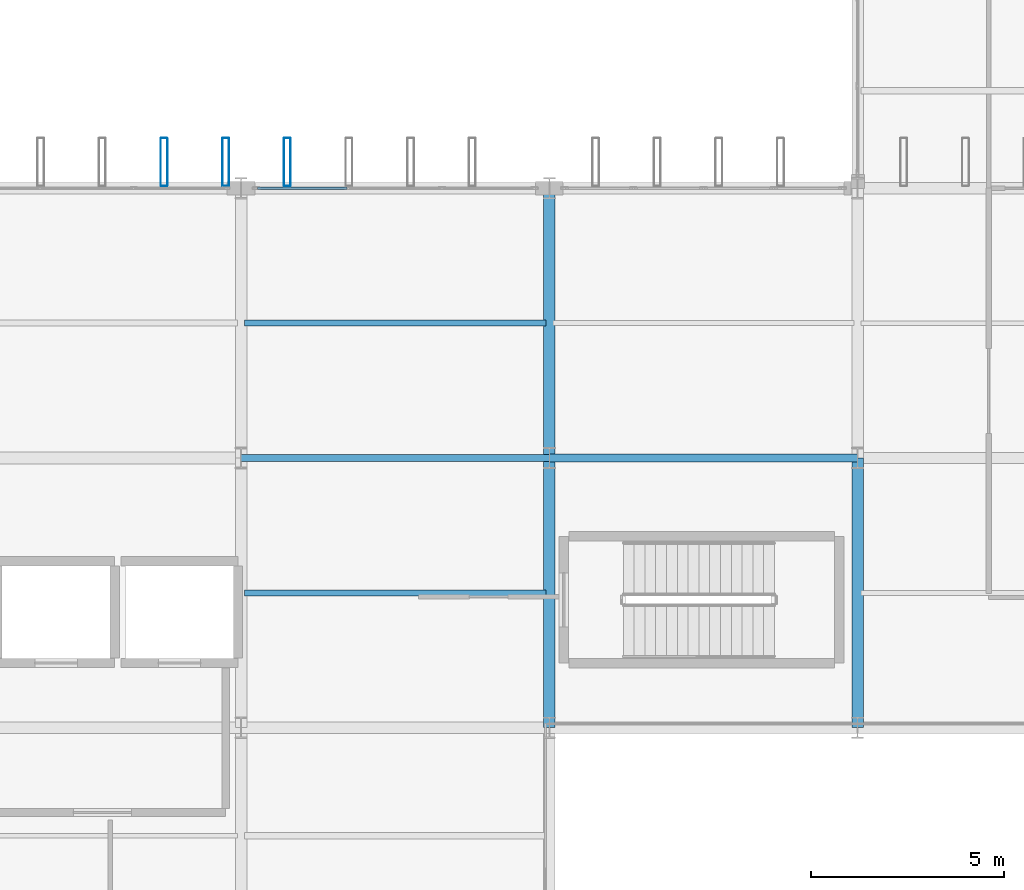
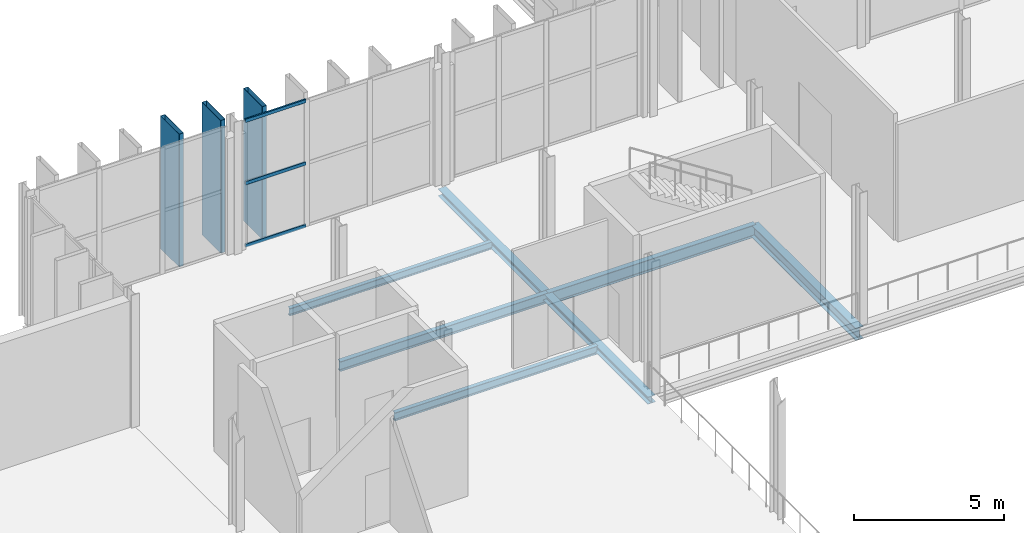
# One storey, part 52 of 147: 7 beams, 6 members, 1 element without a shape of its own.
"""IFC4 building model written with IfcOpenShell, lengths in metres."""

from ifc_helpers import new_model, si_unit, direction, frame, origin, origin_2d, place, context, subcontext, project, spatial, hollow_rectangle, i_section, extrude, material, layer, layer_set, material_profile, profile_set, type_object, element, aggregate, save


model = new_model("IFC4")

# Units and contexts
model_context = context("Model", 3, precision=1e-05, world=origin(), true_north=direction((0.0, 1.0)))
body_context = subcontext(model_context, "Body", "Model", "MODEL_VIEW")
ifc_project = project(units=[si_unit("LENGTHUNIT", "METRE"), si_unit("AREAUNIT", "SQUARE_METRE"), si_unit("VOLUMEUNIT", "CUBIC_METRE"), si_unit("PLANEANGLEUNIT", "RADIAN"), si_unit("MASSUNIT", "GRAM", prefix="KILO")], contexts=[model_context])

# Site, building, storey
site_placement = place(None, origin())
site = spatial("IfcSite", under=ifc_project, at=site_placement, CompositionType="ELEMENT")
building_placement = place(site_placement, origin())
building = spatial("IfcBuilding", under=site, at=building_placement, Name="Vekula Escarpment Museum", CompositionType="ELEMENT")
storey_placement = place(building_placement, frame((0.0, 0.0, 7.800048828125)))
storey = spatial("IfcBuildingStorey", under=building, at=storey_placement, Name="L02", CompositionType="ELEMENT", Elevation=7.800048828125)

# Beams
ifc_material_1 = material(Name="Steel S355", Category="steel")
ifc_material_profile_1 = material_profile(ifc_material_1, i_section(OverallWidth=0.300048828125, OverallDepth=0.5, WebThickness=0.014404296875, FlangeThickness=0.028076171875, FilletRadius=0.027099609375, at=origin_2d()), Name="HEB 500")
ifc_profile_set_1 = profile_set([ifc_material_profile_1], Name="Steel S355")
beam_type_1 = type_object("IfcBeamType", Name="BM-GIRD-HEB500", PredefinedType="BEAM", material=ifc_profile_set_1)
beam_1_placement = place(storey_placement, frame((94.0, 76.39990234375, -0.510009765625), z_axis=(0.0, 1.0, 0.0), x_axis=(-1.0, 0.0, 0.0)))
element("IfcBeam", 1, at=beam_1_placement, inside=storey, type_object=beam_type_1, Name="Beam Y L02 1160", PredefinedType="BEAM", context=body_context, shape_type="SweptSolid", body=[
    extrude(i_section(OverallWidth=0.300048828125, OverallDepth=0.5, WebThickness=0.014404296875, FlangeThickness=0.028076171875, FilletRadius=0.027099609375, at=origin_2d()), origin(), (0.0, 0.0, 1.0), 7.0),
])
ifc_material_2 = material(Name="Steel S355", Category="steel")
ifc_material_profile_2 = material_profile(ifc_material_2, i_section(OverallWidth=0.179931640625, OverallDepth=0.39990234375, WebThickness=0.008544921875, FlangeThickness=0.013427734375, FilletRadius=0.02099609375, at=origin_2d()), Name="IPE 400")
ifc_profile_set_2 = profile_set([ifc_material_profile_2], Name="Steel S355")
beam_type_2 = type_object("IfcBeamType", Name="BM-GIRD-IPE400", PredefinedType="BEAM", material=ifc_profile_set_2)
beam_2_placement = place(storey_placement, frame((78.0, 83.39990234375, -0.4599609375), z_axis=(1.0, 0.0, 0.0), x_axis=(0.0, 1.0, 0.0)))
element("IfcBeam", 2, at=beam_2_placement, inside=storey, type_object=beam_type_2, Name="Beam X L02 0941", PredefinedType="BEAM", context=body_context, shape_type="SweptSolid", body=[
    extrude(i_section(OverallWidth=0.179931640625, OverallDepth=0.39990234375, WebThickness=0.008544921875, FlangeThickness=0.013427734375, FilletRadius=0.02099609375, at=origin_2d()), origin(), (0.0, 0.0, 1.0), 8.0),
])
ifc_material_3 = material(Name="Steel S355", Category="steel")
ifc_material_profile_3 = material_profile(ifc_material_3, i_section(OverallWidth=0.199951171875, OverallDepth=0.5, WebThickness=0.01025390625, FlangeThickness=0.01611328125, FilletRadius=0.02099609375, at=origin_2d()), Name="IPE 500")
ifc_profile_set_3 = profile_set([ifc_material_profile_3], Name="Steel S355")
beam_type_3 = type_object("IfcBeamType", Name="BM-GIRD-IPE500", PredefinedType="BEAM", material=ifc_profile_set_3)
beam_3_placement = place(storey_placement, frame((86.0, 83.39990234375, -0.510009765625), z_axis=(1.0, 0.0, 0.0), x_axis=(0.0, 1.0, 0.0)))
element("IfcBeam", 3, at=beam_3_placement, inside=storey, type_object=beam_type_3, Name="Beam X L02 0942", PredefinedType="BEAM", context=body_context, shape_type="SweptSolid", body=[
    extrude(i_section(OverallWidth=0.199951171875, OverallDepth=0.5, WebThickness=0.01025390625, FlangeThickness=0.01611328125, FilletRadius=0.02099609375, at=origin_2d()), origin(), (0.0, 0.0, 1.0), 8.0),
])
ifc_material_4 = material(Name="Steel S355", Category="steel")
ifc_material_profile_4 = material_profile(ifc_material_4, i_section(OverallWidth=0.14990234375, OverallDepth=0.300048828125, WebThickness=0.007080078125, FlangeThickness=0.0107421875, FilletRadius=0.014892578125, at=origin_2d()), Name="IPE 300")
ifc_profile_set_4 = profile_set([ifc_material_profile_4], Name="Steel S355")
beam_type_4 = type_object("IfcBeamType", Name="BM-JST-IPE300", PredefinedType="JOIST", material=ifc_profile_set_4)
beam_4_placement = place(storey_placement, frame((78.090087890625, 86.89990234375, -0.41015625), z_axis=(1.0, 0.0, 0.0), x_axis=(0.0, 1.0, 0.0)))
element("IfcBeam", 4, at=beam_4_placement, inside=storey, type_object=beam_type_4, Name="Secondary Joist L02 0750", PredefinedType="JOIST", context=body_context, shape_type="SweptSolid", body=[
    extrude(i_section(OverallWidth=0.14990234375, OverallDepth=0.300048828125, WebThickness=0.007080078125, FlangeThickness=0.0107421875, FilletRadius=0.014892578125, at=origin_2d()), origin(), (0.0, 0.0, 1.0), 7.81982421875),
])
ifc_material_5 = material(Name="Steel S355", Category="steel")
ifc_material_profile_5 = material_profile(ifc_material_5, i_section(OverallWidth=0.159912109375, OverallDepth=0.330078125, WebThickness=0.007568359375, FlangeThickness=0.011474609375, FilletRadius=0.01806640625, at=origin_2d()), Name="IPE 330")
ifc_profile_set_5 = profile_set([ifc_material_profile_5], Name="Steel S355")
beam_type_5 = type_object("IfcBeamType", Name="BM-JST-IPE330", PredefinedType="JOIST", material=ifc_profile_set_5)
beam_5_placement = place(storey_placement, frame((78.090087890625, 79.89990234375, -0.425048828125), z_axis=(1.0, 0.0, 0.0), x_axis=(0.0, 1.0, 0.0)))
element("IfcBeam", 5, at=beam_5_placement, inside=storey, type_object=beam_type_5, Name="Secondary Joist L02 0749", PredefinedType="JOIST", context=body_context, shape_type="SweptSolid", body=[
    extrude(i_section(OverallWidth=0.159912109375, OverallDepth=0.330078125, WebThickness=0.007568359375, FlangeThickness=0.011474609375, FilletRadius=0.01806640625, at=origin_2d()), origin(), (0.0, 0.0, 1.0), 7.81982421875),
])
ifc_material_6 = material(Name="Steel S355", Category="steel")
ifc_material_profile_6 = material_profile(ifc_material_6, i_section(OverallWidth=0.300048828125, OverallDepth=0.2900390625, WebThickness=0.008544921875, FlangeThickness=0.013916015625, FilletRadius=0.027099609375, at=origin_2d()), Name="HEA 300")
ifc_profile_set_6 = profile_set([ifc_material_profile_6], Name="Steel S355")
beam_type_6 = type_object("IfcBeamType", Name="BM-SPAN-HEA300", PredefinedType="SPANDREL", material=ifc_profile_set_6)
for number, where, z_axis, x_axis, name in (
    (6, (86.0, 76.39990234375, -0.405029296875), (0.0, 1.0, 0.0), (-1.0, 0.0, 0.0), "Beam Y L02 1148"),
    (7, (86.0, 83.39990234375, -0.405029296875), (0.0, 1.0, 0.0), (-1.0, 0.0, 0.0), "Beam Y L02 1149"),
):
    element("IfcBeam", number, at=place(storey_placement, frame(where, z_axis=z_axis, x_axis=x_axis)), inside=storey, type_object=beam_type_6, Name=name, PredefinedType="SPANDREL", context=body_context, shape_type="SweptSolid", body=[
        extrude(i_section(OverallWidth=0.300048828125, OverallDepth=0.2900390625, WebThickness=0.008544921875, FlangeThickness=0.013916015625, FilletRadius=0.027099609375, at=origin_2d()), origin(), (0.0, 0.0, 1.0), 7.0),
    ])

# Curtain wall, members
ifc_material_7 = material(Name="Aluminium thermally broken framing", Category="aluminium")
ifc_layer = layer(ifc_material_7, 0.159912109375)
ifc_layer_set = layer_set([ifc_layer], Name="Aluminium thermally broken framing")
curtain_wall_type = type_object("IfcCurtainWallType", Name="CW-SYS-02", PredefinedType="NOTDEFINED", material=ifc_layer_set)
curtain_wall_placement = place(storey_placement, origin())
curtain_wall = element("IfcCurtainWall", 8, at=curtain_wall_placement, inside=storey, type_object=curtain_wall_type, Name="Curtain Wall CW-L02-092", PredefinedType="NOTDEFINED")
ifc_material_8 = material(Name="Aluminium anodized transom", Category="aluminium")
ifc_material_profile_7 = material_profile(ifc_material_8, hollow_rectangle(XDim=0.06494140625, YDim=0.139892578125, WallThickness=0.00390625, InnerFilletRadius=0.00390625, OuterFilletRadius=0.008056640625, at=origin_2d()), Name="ALU 140x65x4")
ifc_profile_set_7 = profile_set([ifc_material_profile_7], Name="Aluminium anodized transom")
member_type_1 = type_object("IfcMemberType", Name="CW-TRN-140", PredefinedType="USERDEFINED", material=ifc_profile_set_7)
member_1_placement = place(storey_placement, frame((80.754150390625, 90.39990234375, 0.032470703125), z_axis=(-1.0, 0.0, 0.0), x_axis=(0.0, -1.0, 0.0)))
member_1 = element("IfcMember", 9, at=member_1_placement, type_object=member_type_1, Name="CW-02 transom 3.1", ObjectType="TRANSOM", PredefinedType="USERDEFINED", context=body_context, shape_type="SweptSolid", body=[
    extrude(hollow_rectangle(XDim=0.06494140625, YDim=0.139892578125, WallThickness=0.00390625, InnerFilletRadius=0.00390625, OuterFilletRadius=0.008056640625, at=origin_2d()), origin(), (0.0, 0.0, 1.0), 2.3291015625),
])
member_2_placement = place(storey_placement, frame((80.754150390625, 90.39990234375, 2.574951171875), z_axis=(-1.0, 0.0, 0.0), x_axis=(0.0, -1.0, 0.0)))
member_2 = element("IfcMember", 10, at=member_2_placement, type_object=member_type_1, Name="CW-02 transom 3.2", ObjectType="TRANSOM", PredefinedType="USERDEFINED", context=body_context, shape_type="SweptSolid", body=[
    extrude(hollow_rectangle(XDim=0.06494140625, YDim=0.139892578125, WallThickness=0.00390625, InnerFilletRadius=0.00390625, OuterFilletRadius=0.008056640625, at=origin_2d()), origin(), (0.0, 0.0, 1.0), 2.3291015625),
])
member_3_placement = place(storey_placement, frame((80.754150390625, 90.39990234375, 5.117431640625), z_axis=(-1.0, 0.0, 0.0), x_axis=(0.0, -1.0, 0.0)))
member_3 = element("IfcMember", 11, at=member_3_placement, type_object=member_type_1, Name="CW-02 transom 3.3", ObjectType="TRANSOM", PredefinedType="USERDEFINED", context=body_context, shape_type="SweptSolid", body=[
    extrude(hollow_rectangle(XDim=0.06494140625, YDim=0.139892578125, WallThickness=0.00390625, InnerFilletRadius=0.00390625, OuterFilletRadius=0.008056640625, at=origin_2d()), origin(), (0.0, 0.0, 1.0), 2.3291015625),
])
aggregate(curtain_wall, [member_1, member_2, member_3])

# Members
ifc_material_9 = material(Name="Steel S355 weathered bronze solar fin", Category="steel")
ifc_material_profile_8 = material_profile(ifc_material_9, hollow_rectangle(XDim=0.179931640625, YDim=1.25, WallThickness=0.010009765625, InnerFilletRadius=0.010009765625, OuterFilletRadius=0.02001953125, at=origin_2d()), Name="RHS 1250x180x10")
ifc_profile_set_8 = profile_set([ifc_material_profile_8], Name="Steel S355 weathered bronze solar fin")
member_type_2 = type_object("IfcMemberType", Name="MB-SOLAR-FIN", PredefinedType="USERDEFINED", material=ifc_profile_set_8)
for number, where, z_axis, x_axis, name in (
    (12, (76.0, 91.080078125, 0.0), (0.0, 0.0, 1.0), (1.0, 0.0, 0.0), "Great Hall Vertical Solar Fin 0147"),
    (13, (77.60009765625, 91.080078125, 0.0), (0.0, 0.0, 1.0), (1.0, 0.0, 0.0), "Great Hall Vertical Solar Fin 0152"),
    (14, (79.199951171875, 91.080078125, 0.0), (0.0, 0.0, 1.0), (1.0, 0.0, 0.0), "Great Hall Vertical Solar Fin 0157"),
):
    element("IfcMember", number, at=place(storey_placement, frame(where, z_axis=z_axis, x_axis=x_axis)), inside=storey, type_object=member_type_2, Name=name, ObjectType="SOLAR FIN", PredefinedType="USERDEFINED", context=body_context, shape_type="SweptSolid", body=[
        extrude(hollow_rectangle(XDim=0.179931640625, YDim=1.25, WallThickness=0.010009765625, InnerFilletRadius=0.010009765625, OuterFilletRadius=0.02001953125, at=origin_2d()), origin(), (0.0, 0.0, 1.0), 5.39990234375),
    ])

save(model, "model.ifc")
